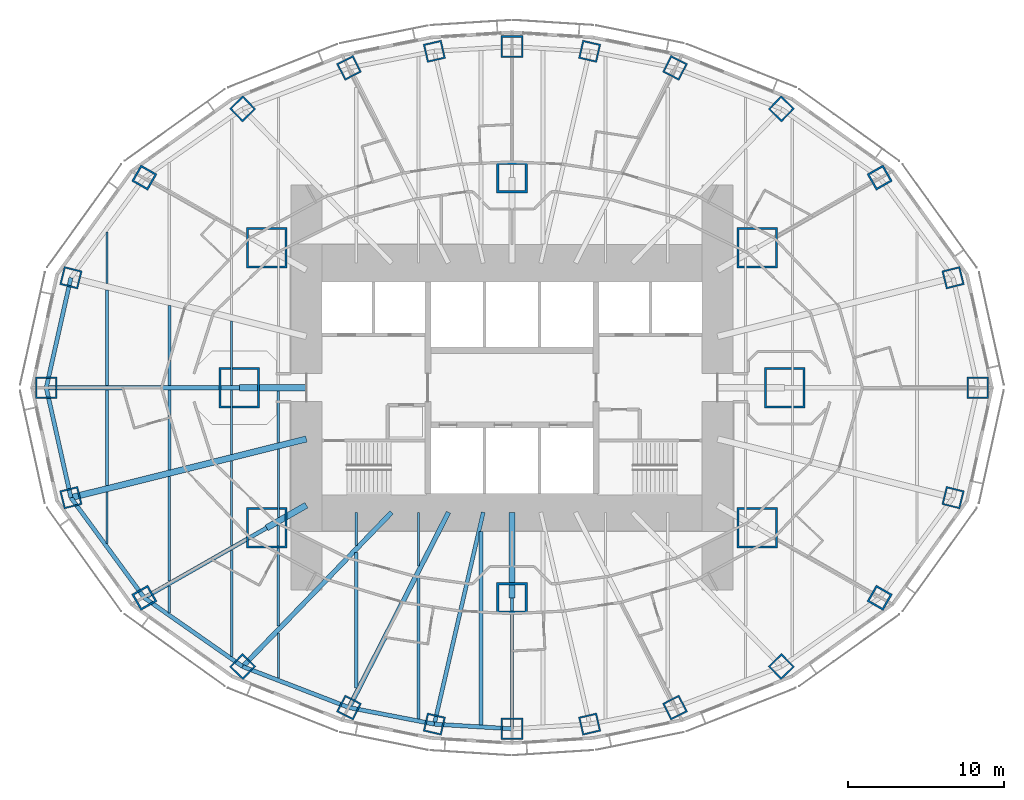
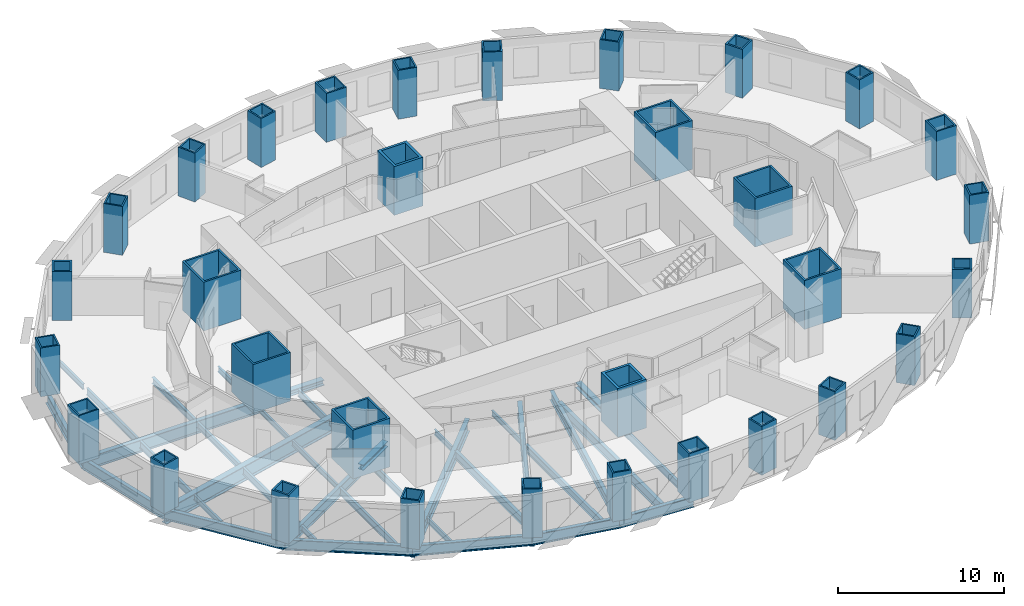
# One storey, part 1 of 15: 38 beams, 32 columns.
"""IFC4 building model written with IfcOpenShell, lengths in metres."""

from ifc_helpers import new_model, si_unit, direction, frame, origin, origin_2d, place, context, subcontext, project, spatial, rectangle, hollow_rectangle, i_section, extrude, material, material_profile, profile_set, type_object, element, save


model = new_model("IFC4")

# Units and contexts
model_context = context("Model", 3, precision=1e-05, world=origin(), true_north=direction((0.0, 1.0)))
body_context = subcontext(model_context, "Body", "Model", "MODEL_VIEW")
ifc_project = project(units=[si_unit("LENGTHUNIT", "METRE"), si_unit("AREAUNIT", "SQUARE_METRE"), si_unit("VOLUMEUNIT", "CUBIC_METRE"), si_unit("PLANEANGLEUNIT", "RADIAN"), si_unit("MASSUNIT", "GRAM", prefix="KILO")], contexts=[model_context])

# Site, building, storey
site_placement = place(None, origin())
site = spatial("IfcSite", under=ifc_project, at=site_placement, CompositionType="ELEMENT")
building_placement = place(site_placement, origin())
building = spatial("IfcBuilding", under=site, at=building_placement, Name="Lantaw Convention Tower", CompositionType="ELEMENT")
storey_placement = place(building_placement, frame((0.0, 0.0, 83.800048828125)))
storey = spatial("IfcBuildingStorey", under=building, at=storey_placement, Name="L19", CompositionType="ELEMENT", Elevation=83.800048828125)

# Columns
ifc_material_1 = material(Name="Steel EN 10025-3 S460N", Category="steel")
ifc_material_profile_1 = material_profile(ifc_material_1, hollow_rectangle(XDim=2.0, YDim=2.0, WallThickness=0.169921875, at=origin_2d()), Name="BOX2000X170")
ifc_material_2 = material(Name="Concrete C60/75", Category="concrete")
ifc_material_profile_2 = material_profile(ifc_material_2, rectangle(XDim=1.659912109375, YDim=1.659912109375, at=origin_2d()), Name="Concrete fill of BOX2000X170")
ifc_profile_set_1 = profile_set([ifc_material_profile_1, ifc_material_profile_2], Name="Steel EN 10025-3 S460N")
column_type_1 = type_object("IfcColumnType", Name="Column MC BOX2000X170", PredefinedType="COLUMN", material=ifc_profile_set_1)
for number, where, z_axis, x_axis, name in (
    (1, (0.0, 13.5, 0.0), (0.0, 0.0, 1.0), (1.0, 0.0, 0.0), "Mega column M3"),
    (2, (0.0, -13.5, 0.0), (0.0, 0.0, 1.0), (1.0, 0.0, 0.0), "Mega column M7"),
):
    element("IfcColumn", number, at=place(storey_placement, frame(where, z_axis=z_axis, x_axis=x_axis)), inside=storey, type_object=column_type_1, Name=name, PredefinedType="COLUMN", context=body_context, shape_type="SweptSolid", body=[
        extrude(hollow_rectangle(XDim=2.0, YDim=2.0, WallThickness=0.169921875, at=origin_2d()), origin(), (0.0, 0.0, 1.0), 3.599853515625),
    ])
ifc_material_profile_3 = material_profile(ifc_material_1, hollow_rectangle(XDim=2.60009765625, YDim=2.60009765625, WallThickness=0.1298828125, at=origin_2d()), Name="BOX2600X130")
ifc_material_profile_4 = material_profile(ifc_material_2, rectangle(XDim=2.340087890625, YDim=2.340087890625, at=origin_2d()), Name="Concrete fill of BOX2600X130")
ifc_profile_set_2 = profile_set([ifc_material_profile_3, ifc_material_profile_4], Name="Steel EN 10025-3 S460N")
column_type_2 = type_object("IfcColumnType", Name="Column MC BOX2600X130", PredefinedType="COLUMN", material=ifc_profile_set_2)
for number, where, z_axis, x_axis, name in (
    (3, (17.5, 0.0, 0.0), (0.0, 0.0, 1.0), (1.0, 0.0, 0.0), "Mega column M1"),
    (4, (15.75, 9.0, 0.0), (0.0, 0.0, 1.0), (1.0, 0.0, 0.0), "Mega column M2"),
    (5, (-15.75, 9.0, 0.0), (0.0, 0.0, 1.0), (1.0, 0.0, 0.0), "Mega column M4"),
    (6, (-17.5, 0.0, 0.0), (0.0, 0.0, 1.0), (1.0, 0.0, 0.0), "Mega column M5"),
    (7, (-15.75, -9.0, 0.0), (0.0, 0.0, 1.0), (1.0, 0.0, 0.0), "Mega column M6"),
    (8, (15.75, -9.0, 0.0), (0.0, 0.0, 1.0), (1.0, 0.0, 0.0), "Mega column M8"),
):
    element("IfcColumn", number, at=place(storey_placement, frame(where, z_axis=z_axis, x_axis=x_axis)), inside=storey, type_object=column_type_2, Name=name, PredefinedType="COLUMN", context=body_context, shape_type="SweptSolid", body=[
        extrude(hollow_rectangle(XDim=2.60009765625, YDim=2.60009765625, WallThickness=0.1298828125, at=origin_2d()), origin(), (0.0, 0.0, 1.0), 3.599853515625),
    ])
ifc_material_profile_5 = material_profile(ifc_material_1, hollow_rectangle(XDim=1.199951171875, YDim=1.199951171875, WallThickness=0.10009765625, at=origin_2d()), Name="BOX1200X100")
ifc_material_profile_6 = material_profile(ifc_material_2, rectangle(XDim=1.0, YDim=1.0, at=origin_2d()), Name="Concrete fill of BOX1200X100")
ifc_profile_set_3 = profile_set([ifc_material_profile_5, ifc_material_profile_6], Name="Steel EN 10025-3 S460N")
column_type_3 = type_object("IfcColumnType", Name="Column PC BOX1200X100", PredefinedType="COLUMN", material=ifc_profile_set_3)
for number, where, z_axis, x_axis, name in (
    (9, (28.31787109375, 7.060302734375, 0.0), (0.0, 0.0, 1.0), (0.970295726276, 0.2419218956, 0.0), "Perimeter column P2"),
    (10, (17.290771484375, 17.9052734375, 0.0), (0.0, 0.0, 1.0), (0.694658370459, 0.719339800339, 0.0), "Perimeter column P4"),
    (11, (10.462646484375, 20.533935546875, 0.0), (0.0, 0.0, 1.0), (0.45399049974, 0.891006524188, 0.0), "Perimeter column P5"),
    (12, (4.986328125, 21.59814453125, 0.0), (0.0, 0.0, 1.0), (0.224951054344, 0.974370064785, 0.0), "Perimeter column P6"),
    (13, (-4.986328125, 21.59814453125, 0.0), (0.0, 0.0, 1.0), (0.974370064785, 0.224951054344, 0.0), "Perimeter column P8"),
    (14, (-10.462646484375, 20.533935546875, 0.0), (0.0, 0.0, 1.0), (0.891006524188, 0.45399049974, 0.0), "Perimeter column P9"),
    (15, (-17.290771484375, 17.9052734375, 0.0), (0.0, 0.0, 1.0), (0.719339800339, 0.694658370459, 0.0), "Perimeter column P10"),
    (16, (-28.31787109375, 7.060302734375, 0.0), (0.0, 0.0, 1.0), (0.2419218956, 0.970295726276, 0.0), "Perimeter column P12"),
    (17, (-28.31787109375, -7.060302734375, 0.0), (0.0, 0.0, 1.0), (0.970295726276, 0.2419218956, 0.0), "Perimeter column P14"),
    (18, (-17.290771484375, -17.9052734375, 0.0), (0.0, 0.0, 1.0), (0.694658370459, 0.719339800339, 0.0), "Perimeter column P16"),
    (19, (-10.462646484375, -20.533935546875, 0.0), (0.0, 0.0, 1.0), (0.45399049974, 0.891006524188, 0.0), "Perimeter column P17"),
    (20, (-4.986328125, -21.59814453125, 0.0), (0.0, 0.0, 1.0), (0.224951054344, 0.974370064785, 0.0), "Perimeter column P18"),
    (21, (4.986328125, -21.59814453125, 0.0), (0.0, 0.0, 1.0), (0.974370064785, 0.224951054344, 0.0), "Perimeter column P20"),
    (22, (10.462646484375, -20.533935546875, 0.0), (0.0, 0.0, 1.0), (0.891006524188, 0.45399049974, 0.0), "Perimeter column P21"),
    (23, (17.290771484375, -17.9052734375, 0.0), (0.0, 0.0, 1.0), (0.719339800339, 0.694658370459, 0.0), "Perimeter column P22"),
    (24, (28.31787109375, -7.060302734375, 0.0), (0.0, 0.0, 1.0), (0.2419218956, 0.970295726276, 0.0), "Perimeter column P24"),
):
    element("IfcColumn", number, at=place(storey_placement, frame(where, z_axis=z_axis, x_axis=x_axis)), inside=storey, type_object=column_type_3, Name=name, PredefinedType="COLUMN", context=body_context, shape_type="SweptSolid", body=[
        extrude(hollow_rectangle(XDim=1.199951171875, YDim=1.199951171875, WallThickness=0.10009765625, at=origin_2d()), origin(), (0.0, 0.0, 1.0), 3.599853515625),
    ])
ifc_material_profile_7 = material_profile(ifc_material_1, hollow_rectangle(XDim=1.199951171875, YDim=1.199951171875, WallThickness=0.1201171875, at=origin_2d()), Name="BOX1200X120")
ifc_material_profile_8 = material_profile(ifc_material_2, rectangle(XDim=0.9599609375, YDim=0.9599609375, at=origin_2d()), Name="Concrete fill of BOX1200X120")
ifc_profile_set_4 = profile_set([ifc_material_profile_7, ifc_material_profile_8], Name="Steel EN 10025-3 S460N")
column_type_4 = type_object("IfcColumnType", Name="Column PC BOX1200X120", PredefinedType="COLUMN", material=ifc_profile_set_4)
for number, where, z_axis, x_axis, name in (
    (25, (23.60498046875, 13.488525390625, 0.0), (0.0, 0.0, 1.0), (0.86824298017, 0.496139221777, 0.0), "Perimeter column P3"),
    (26, (-23.60498046875, 13.488525390625, 0.0), (0.0, 0.0, 1.0), (0.496139221777, 0.86824298017, 0.0), "Perimeter column P11"),
    (27, (-23.60498046875, -13.488525390625, 0.0), (0.0, 0.0, 1.0), (0.86824298017, 0.496139221777, 0.0), "Perimeter column P15"),
    (28, (23.60498046875, -13.488525390625, 0.0), (0.0, 0.0, 1.0), (0.496139221777, 0.86824298017, 0.0), "Perimeter column P23"),
):
    element("IfcColumn", number, at=place(storey_placement, frame(where, z_axis=z_axis, x_axis=x_axis)), inside=storey, type_object=column_type_4, Name=name, PredefinedType="COLUMN", context=body_context, shape_type="SweptSolid", body=[
        extrude(hollow_rectangle(XDim=1.199951171875, YDim=1.199951171875, WallThickness=0.1201171875, at=origin_2d()), origin(), (0.0, 0.0, 1.0), 3.599853515625),
    ])
ifc_material_profile_9 = material_profile(ifc_material_1, hollow_rectangle(XDim=1.39990234375, YDim=1.39990234375, WallThickness=0.10009765625, at=origin_2d()), Name="BOX1400X100")
ifc_material_profile_10 = material_profile(ifc_material_2, rectangle(XDim=1.199951171875, YDim=1.199951171875, at=origin_2d()), Name="Concrete fill of BOX1400X100")
ifc_profile_set_5 = profile_set([ifc_material_profile_9, ifc_material_profile_10], Name="Steel EN 10025-3 S460N")
column_type_5 = type_object("IfcColumnType", Name="Column PC BOX1400X100", PredefinedType="COLUMN", material=ifc_profile_set_5)
for number, where, z_axis, x_axis, name in (
    (29, (29.89990234375, 0.0, 0.0), (0.0, 0.0, 1.0), (1.0, 0.0, 0.0), "Perimeter column P1"),
    (30, (0.0, 21.89990234375, 0.0), (0.0, 0.0, 1.0), (1.0, 0.0, 0.0), "Perimeter column P7"),
    (31, (-29.89990234375, 0.0, 0.0), (0.0, 0.0, 1.0), (1.0, 0.0, 0.0), "Perimeter column P13"),
    (32, (0.0, -21.89990234375, 0.0), (0.0, 0.0, 1.0), (1.0, 0.0, 0.0), "Perimeter column P19"),
):
    element("IfcColumn", number, at=place(storey_placement, frame(where, z_axis=z_axis, x_axis=x_axis)), inside=storey, type_object=column_type_5, Name=name, PredefinedType="COLUMN", context=body_context, shape_type="SweptSolid", body=[
        extrude(hollow_rectangle(XDim=1.39990234375, YDim=1.39990234375, WallThickness=0.10009765625, at=origin_2d()), origin(), (0.0, 0.0, 1.0), 3.599853515625),
    ])

# Beams
ifc_material_3 = material(Name="Steel ASTM A992", Category="steel")
ifc_material_profile_11 = material_profile(ifc_material_3, i_section(OverallWidth=0.2666015625, OverallDepth=0.76953125, WebThickness=0.015625, FlangeThickness=0.025390625, FilletRadius=0.0126953125, at=origin_2d()), Name="W30X132")
ifc_profile_set_6 = profile_set([ifc_material_profile_11], Name="Steel ASTM A992")
beam_type_1 = type_object("IfcBeamType", Name="Beam E W30X132", PredefinedType="SPANDREL", material=ifc_profile_set_6)
for number, where, z_axis, x_axis, name in (
    (33, (-28.31787109375, 7.060302734375, -0.534912109375), (-0.218652184873, -0.975802860239, 0.0), (0.975802860239, -0.218652184873, 0.0), "Edge beam 12"),
    (34, (-29.89990234375, 0.0, -0.534912109375), (0.218652184873, -0.975802860239, 0.0), (0.975802860239, 0.218652184873, 0.0), "Edge beam 13"),
):
    element("IfcBeam", number, at=place(storey_placement, frame(where, z_axis=z_axis, x_axis=x_axis)), inside=storey, type_object=beam_type_1, Name=name, PredefinedType="SPANDREL", context=body_context, shape_type="SweptSolid", body=[
        extrude(i_section(OverallWidth=0.2666015625, OverallDepth=0.76953125, WebThickness=0.015625, FlangeThickness=0.025390625, FilletRadius=0.0126953125, at=origin_2d()), origin(), (0.0, 0.0, 1.0), 7.2353515625),
    ])
beam_1_placement = place(storey_placement, frame((-28.31787109375, -7.060302734375, -0.534912109375), z_axis=(0.591270709086, -0.806473154281, 0.0), x_axis=(0.806473154281, 0.591270709086, 0.0)))
element("IfcBeam", 35, at=beam_1_placement, inside=storey, type_object=beam_type_1, Name="Edge beam 14", PredefinedType="SPANDREL", context=body_context, shape_type="SweptSolid", body=[
    extrude(i_section(OverallWidth=0.2666015625, OverallDepth=0.76953125, WebThickness=0.015625, FlangeThickness=0.025390625, FilletRadius=0.0126953125, at=origin_2d()), origin(), (0.0, 0.0, 1.0), 7.970703125),
])
beam_2_placement = place(storey_placement, frame((-23.60498046875, -13.488525390625, -0.534912109375), z_axis=(0.81942686407, -0.57318375277, 0.0), x_axis=(0.57318375277, 0.81942686407, 0.0)))
element("IfcBeam", 36, at=beam_2_placement, inside=storey, type_object=beam_type_1, Name="Edge beam 15", PredefinedType="SPANDREL", context=body_context, shape_type="SweptSolid", body=[
    extrude(i_section(OverallWidth=0.2666015625, OverallDepth=0.76953125, WebThickness=0.015625, FlangeThickness=0.025390625, FilletRadius=0.0126953125, at=origin_2d()), origin(), (0.0, 0.0, 1.0), 7.70556640625),
])
beam_3_placement = place(storey_placement, frame((-17.290771484375, -17.9052734375, -0.534912109375), z_axis=(0.933232900641, -0.359271976588, 0.0), x_axis=(0.359271976588, 0.933232900641, 0.0)))
element("IfcBeam", 37, at=beam_3_placement, inside=storey, type_object=beam_type_1, Name="Edge beam 16", PredefinedType="SPANDREL", context=body_context, shape_type="SweptSolid", body=[
    extrude(i_section(OverallWidth=0.2666015625, OverallDepth=0.76953125, WebThickness=0.015625, FlangeThickness=0.025390625, FilletRadius=0.0126953125, at=origin_2d()), origin(), (0.0, 0.0, 1.0), 7.316650390625),
])
beam_4_placement = place(storey_placement, frame((-10.462646484375, -20.533935546875, -0.534912109375), z_axis=(0.981636565323, -0.190760723474, 0.0), x_axis=(0.190760723474, 0.981636565323, 0.0)))
element("IfcBeam", 38, at=beam_4_placement, inside=storey, type_object=beam_type_1, Name="Edge beam 17", PredefinedType="SPANDREL", context=body_context, shape_type="SweptSolid", body=[
    extrude(i_section(OverallWidth=0.2666015625, OverallDepth=0.76953125, WebThickness=0.015625, FlangeThickness=0.025390625, FilletRadius=0.0126953125, at=origin_2d()), origin(), (0.0, 0.0, 1.0), 5.578857421875),
])
beam_5_placement = place(storey_placement, frame((-4.986328125, -21.59814453125, -0.534912109375), z_axis=(0.998173858406, -0.060406526096, 0.0), x_axis=(0.060406526096, 0.998173858406, 0.0)))
element("IfcBeam", 39, at=beam_5_placement, inside=storey, type_object=beam_type_1, Name="Edge beam 18", PredefinedType="SPANDREL", context=body_context, shape_type="SweptSolid", body=[
    extrude(i_section(OverallWidth=0.2666015625, OverallDepth=0.76953125, WebThickness=0.015625, FlangeThickness=0.025390625, FilletRadius=0.0126953125, at=origin_2d()), origin(), (0.0, 0.0, 1.0), 4.995361328125),
])
ifc_material_profile_12 = material_profile(ifc_material_3, i_section(OverallWidth=0.1650390625, OverallDepth=0.52587890625, WebThickness=0.0087890625, FlangeThickness=0.011474609375, FilletRadius=0.0126953125, at=origin_2d()), Name="W21X44")
ifc_profile_set_7 = profile_set([ifc_material_profile_12], Name="Steel ASTM A992")
beam_type_2 = type_object("IfcBeamType", Name="Beam G W21X44", PredefinedType="BEAM", material=ifc_profile_set_7)
beam_6_placement = place(storey_placement, frame((0.0, -13.5, -0.412841796875), z_axis=(0.0, -1.0, 0.0), x_axis=(1.0, 0.0, 0.0)))
element("IfcBeam", 40, at=beam_6_placement, inside=storey, type_object=beam_type_2, Name="Floor girder on ray 19", PredefinedType="BEAM", context=body_context, shape_type="SweptSolid", body=[
    extrude(i_section(OverallWidth=0.1650390625, OverallDepth=0.52587890625, WebThickness=0.0087890625, FlangeThickness=0.011474609375, FilletRadius=0.0126953125, at=origin_2d()), origin(), (0.0, 0.0, 1.0), 8.39990234375),
])
ifc_material_profile_13 = material_profile(ifc_material_3, i_section(OverallWidth=0.25390625, OverallDepth=0.683349609375, WebThickness=0.012451171875, FlangeThickness=0.01904296875, FilletRadius=0.01513671875, at=origin_2d()), Name="W27X94")
ifc_profile_set_8 = profile_set([ifc_material_profile_13], Name="Steel ASTM A992")
beam_type_3 = type_object("IfcBeamType", Name="Beam G W27X94", PredefinedType="BEAM", material=ifc_profile_set_8)
beam_7_placement = place(storey_placement, frame((-1.846923828125, -8.0, -0.49169921875), z_axis=(-0.224952773175, -0.97436966796, 0.0), x_axis=(0.97436966796, -0.224952773175, 0.0)))
element("IfcBeam", 41, at=beam_7_placement, inside=storey, type_object=beam_type_3, Name="Floor girder on ray 18", PredefinedType="BEAM", context=body_context, shape_type="SweptSolid", body=[
    extrude(i_section(OverallWidth=0.25390625, OverallDepth=0.683349609375, WebThickness=0.012451171875, FlangeThickness=0.01904296875, FilletRadius=0.01513671875, at=origin_2d()), origin(), (0.0, 0.0, 1.0), 13.955810546875),
])
ifc_material_profile_14 = material_profile(ifc_material_3, i_section(OverallWidth=0.2666015625, OverallDepth=0.7568359375, WebThickness=0.013916015625, FlangeThickness=0.019287109375, FilletRadius=0.0126953125, at=origin_2d()), Name="W30X108")
ifc_profile_set_9 = profile_set([ifc_material_profile_14], Name="Steel ASTM A992")
beam_type_4 = type_object("IfcBeamType", Name="Beam G W30X108", PredefinedType="BEAM", material=ifc_profile_set_9)
beam_8_placement = place(storey_placement, frame((-15.75, -9.0, -0.528564453125), z_axis=(-0.868244802791, -0.496136032179, 0.0), x_axis=(0.496136032179, -0.868244802791, 0.0)))
element("IfcBeam", 42, at=beam_8_placement, inside=storey, type_object=beam_type_4, Name="Floor girder on ray 15", PredefinedType="BEAM", context=body_context, shape_type="SweptSolid", body=[
    extrude(i_section(OverallWidth=0.2666015625, OverallDepth=0.7568359375, WebThickness=0.013916015625, FlangeThickness=0.019287109375, FilletRadius=0.0126953125, at=origin_2d()), origin(), (0.0, 0.0, 1.0), 9.046875),
])
ifc_material_profile_15 = material_profile(ifc_material_3, i_section(OverallWidth=0.307373046875, OverallDepth=0.922119140625, WebThickness=0.018310546875, FlangeThickness=0.030029296875, FilletRadius=0.0126953125, at=origin_2d()), Name="W36X182")
ifc_profile_set_10 = profile_set([ifc_material_profile_15], Name="Steel ASTM A992")
beam_type_5 = type_object("IfcBeamType", Name="Beam G W36X182", PredefinedType="BEAM", material=ifc_profile_set_10)
beam_9_placement = place(storey_placement, frame((-17.5, 0.0, -0.611083984375), z_axis=(-1.0, 0.0, 0.0), x_axis=(0.0, -1.0, 0.0)))
element("IfcBeam", 43, at=beam_9_placement, inside=storey, type_object=beam_type_5, Name="Floor girder on ray 13", PredefinedType="BEAM", context=body_context, shape_type="SweptSolid", body=[
    extrude(i_section(OverallWidth=0.307373046875, OverallDepth=0.922119140625, WebThickness=0.018310546875, FlangeThickness=0.030029296875, FilletRadius=0.0126953125, at=origin_2d()), origin(), (0.0, 0.0, 1.0), 12.39990234375),
])
beam_10_placement = place(storey_placement, frame((-7.7255859375, -8.0, -0.611083984375), z_axis=(-0.694649884291, -0.719347995239, 0.0), x_axis=(0.719347995239, -0.694649884291, 0.0)))
element("IfcBeam", 44, at=beam_10_placement, inside=storey, type_object=beam_type_5, Name="Floor girder on ray 16", PredefinedType="BEAM", context=body_context, shape_type="SweptSolid", body=[
    extrude(i_section(OverallWidth=0.307373046875, OverallDepth=0.922119140625, WebThickness=0.018310546875, FlangeThickness=0.030029296875, FilletRadius=0.0126953125, at=origin_2d()), origin(), (0.0, 0.0, 1.0), 13.769775390625),
])
beam_11_placement = place(storey_placement, frame((-4.076171875, -8.0, -0.611083984375), z_axis=(-0.453997016122, -0.891003203896, 0.0), x_axis=(0.891003203896, -0.453997016122, 0.0)))
element("IfcBeam", 45, at=beam_11_placement, inside=storey, type_object=beam_type_5, Name="Floor girder on ray 17", PredefinedType="BEAM", context=body_context, shape_type="SweptSolid", body=[
    extrude(i_section(OverallWidth=0.307373046875, OverallDepth=0.922119140625, WebThickness=0.018310546875, FlangeThickness=0.030029296875, FilletRadius=0.0126953125, at=origin_2d()), origin(), (0.0, 0.0, 1.0), 14.067138671875),
])
ifc_material_profile_16 = material_profile(ifc_material_3, i_section(OverallWidth=0.40380859375, OverallDepth=1.11767578125, WebThickness=0.026123046875, FlangeThickness=0.044921875, FilletRadius=0.02001953125, at=origin_2d()), Name="W44X335")
ifc_profile_set_11 = profile_set([ifc_material_profile_16], Name="Steel ASTM A992")
beam_type_6 = type_object("IfcBeamType", Name="Beam G W44X335", PredefinedType="BEAM", material=ifc_profile_set_11)
beam_12_placement = place(storey_placement, frame((-13.199951171875, -3.291015625, -0.708740234375), z_axis=(-0.970296233567, -0.241919860957, 0.0), x_axis=(0.241919860957, -0.970296233567, 0.0)))
element("IfcBeam", 46, at=beam_12_placement, inside=storey, type_object=beam_type_6, Name="Floor girder on ray 14", PredefinedType="BEAM", context=body_context, shape_type="SweptSolid", body=[
    extrude(i_section(OverallWidth=0.40380859375, OverallDepth=1.11767578125, WebThickness=0.026123046875, FlangeThickness=0.044921875, FilletRadius=0.02001953125, at=origin_2d()), origin(), (0.0, 0.0, 1.0), 15.580810546875),
])
ifc_material_profile_17 = material_profile(ifc_material_3, i_section(OverallWidth=0.40380859375, OverallDepth=0.406494140625, WebThickness=0.027099609375, FlangeThickness=0.043701171875, FilletRadius=0.01513671875, at=origin_2d()), Name="W14X233")
ifc_profile_set_12 = profile_set([ifc_material_profile_17], Name="Steel ASTM A992")
beam_type_7 = type_object("IfcBeamType", Name="Beam GM W14X233", PredefinedType="BEAM", material=ifc_profile_set_12)
beam_13_placement = place(storey_placement, frame((-13.199951171875, 0.0, -0.353271484375), z_axis=(-1.0, 0.0, 0.0), x_axis=(0.0, -1.0, 0.0)))
element("IfcBeam", 47, at=beam_13_placement, inside=storey, type_object=beam_type_7, Name="Core link beam on ray 13", PredefinedType="BEAM", context=body_context, shape_type="SweptSolid", body=[
    extrude(i_section(OverallWidth=0.40380859375, OverallDepth=0.406494140625, WebThickness=0.027099609375, FlangeThickness=0.043701171875, FilletRadius=0.01513671875, at=origin_2d()), origin(), (0.0, 0.0, 1.0), 4.300048828125),
])
beam_14_placement = place(storey_placement, frame((-13.199951171875, -7.54296875, -0.353271484375), z_axis=(-0.868263603466, -0.496103129295, 0.0), x_axis=(0.496103129295, -0.868263603466, 0.0)))
element("IfcBeam", 48, at=beam_14_placement, inside=storey, type_object=beam_type_7, Name="Core link beam on ray 15", PredefinedType="BEAM", context=body_context, shape_type="SweptSolid", body=[
    extrude(i_section(OverallWidth=0.40380859375, OverallDepth=0.406494140625, WebThickness=0.027099609375, FlangeThickness=0.043701171875, FilletRadius=0.01513671875, at=origin_2d()), origin(), (0.0, 0.0, 1.0), 2.93701171875),
])
beam_15_placement = place(storey_placement, frame((0.0, -8.0, -0.353271484375), z_axis=(0.0, -1.0, 0.0), x_axis=(1.0, 0.0, 0.0)))
element("IfcBeam", 49, at=beam_15_placement, inside=storey, type_object=beam_type_7, Name="Core link beam on ray 19", PredefinedType="BEAM", context=body_context, shape_type="SweptSolid", body=[
    extrude(i_section(OverallWidth=0.40380859375, OverallDepth=0.406494140625, WebThickness=0.027099609375, FlangeThickness=0.043701171875, FilletRadius=0.01513671875, at=origin_2d()), origin(), (0.0, 0.0, 1.0), 5.5),
])
ifc_material_profile_18 = material_profile(ifc_material_3, i_section(OverallWidth=0.140380859375, OverallDepth=0.40380859375, WebThickness=0.007080078125, FlangeThickness=0.01123046875, FilletRadius=0.01025390625, at=origin_2d()), Name="W16X31")
ifc_profile_set_13 = profile_set([ifc_material_profile_18], Name="Steel ASTM A992")
beam_type_8 = type_object("IfcBeamType", Name="Beam J W16X31", PredefinedType="JOIST", material=ifc_profile_set_13)
for number, where, z_axis, x_axis, name in (
    (50, (-26.0, -9.996337890625, -0.35205078125), (0.0, 1.0, 0.0), (-1.0, 0.0, 0.0), "Floor joist"),
    (51, (-26.0, 6.690673828125, -0.35205078125), (0.0, 1.0, 0.0), (-1.0, 0.0, 0.0), "Floor joist"),
):
    element("IfcBeam", number, at=place(storey_placement, frame(where, z_axis=z_axis, x_axis=x_axis)), inside=storey, type_object=beam_type_8, Name=name, PredefinedType="JOIST", context=body_context, shape_type="SweptSolid", body=[
        extrude(i_section(OverallWidth=0.140380859375, OverallDepth=0.40380859375, WebThickness=0.007080078125, FlangeThickness=0.01123046875, FilletRadius=0.01025390625, at=origin_2d()), origin(), (0.0, 0.0, 1.0), 3.3056640625),
    ])
beam_16_placement = place(storey_placement, frame((-22.0, -14.448486328125, -0.35205078125), z_axis=(0.0, 1.0, 0.0), x_axis=(-1.0, 0.0, 0.0)))
element("IfcBeam", 52, at=beam_16_placement, inside=storey, type_object=beam_type_8, Name="Floor joist", PredefinedType="JOIST", context=body_context, shape_type="SweptSolid", body=[
    extrude(i_section(OverallWidth=0.140380859375, OverallDepth=0.40380859375, WebThickness=0.007080078125, FlangeThickness=0.01123046875, FilletRadius=0.01025390625, at=origin_2d()), origin(), (0.0, 0.0, 1.0), 1.723388671875),
])
beam_17_placement = place(storey_placement, frame((-18.0, -10.132080078125, -0.35205078125), z_axis=(0.0, 1.0, 0.0), x_axis=(-1.0, 0.0, 0.0)))
element("IfcBeam", 53, at=beam_17_placement, inside=storey, type_object=beam_type_8, Name="Floor joist", PredefinedType="JOIST", context=body_context, shape_type="SweptSolid", body=[
    extrude(i_section(OverallWidth=0.140380859375, OverallDepth=0.40380859375, WebThickness=0.007080078125, FlangeThickness=0.01123046875, FilletRadius=0.01025390625, at=origin_2d()), origin(), (0.0, 0.0, 1.0), 5.43603515625),
])
for number, where, z_axis, x_axis, name in (
    (54, (-18.0, -4.27978515625, -0.35205078125), (0.0, 1.0, 0.0), (-1.0, 0.0, 0.0), "Floor joist"),
    (55, (-18.0, 0.153564453125, -0.35205078125), (0.0, 1.0, 0.0), (-1.0, 0.0, 0.0), "Floor joist"),
):
    element("IfcBeam", number, at=place(storey_placement, frame(where, z_axis=z_axis, x_axis=x_axis)), inside=storey, type_object=beam_type_8, Name=name, PredefinedType="JOIST", context=body_context, shape_type="SweptSolid", body=[
        extrude(i_section(OverallWidth=0.140380859375, OverallDepth=0.40380859375, WebThickness=0.007080078125, FlangeThickness=0.01123046875, FilletRadius=0.01025390625, at=origin_2d()), origin(), (0.0, 0.0, 1.0), 4.126220703125),
    ])
beam_18_placement = place(storey_placement, frame((-15.0, -18.644287109375, -0.35205078125), z_axis=(0.0, 1.0, 0.0), x_axis=(-1.0, 0.0, 0.0)))
element("IfcBeam", 56, at=beam_18_placement, inside=storey, type_object=beam_type_8, Name="Floor joist", PredefinedType="JOIST", context=body_context, shape_type="SweptSolid", body=[
    extrude(i_section(OverallWidth=0.140380859375, OverallDepth=0.40380859375, WebThickness=0.007080078125, FlangeThickness=0.01123046875, FilletRadius=0.01025390625, at=origin_2d()), origin(), (0.0, 0.0, 1.0), 2.89013671875),
])
beam_19_placement = place(storey_placement, frame((-15.0, -8.3388671875, -0.35205078125), z_axis=(0.0, 1.0, 0.0), x_axis=(-1.0, 0.0, 0.0)))
element("IfcBeam", 57, at=beam_19_placement, inside=storey, type_object=beam_type_8, Name="Floor joist", PredefinedType="JOIST", context=body_context, shape_type="SweptSolid", body=[
    extrude(i_section(OverallWidth=0.140380859375, OverallDepth=0.40380859375, WebThickness=0.007080078125, FlangeThickness=0.01123046875, FilletRadius=0.01025390625, at=origin_2d()), origin(), (0.0, 0.0, 1.0), 4.390869140625),
])
beam_20_placement = place(storey_placement, frame((-10.0, -10.134033203125, -0.35205078125), z_axis=(0.0, 1.0, 0.0), x_axis=(-1.0, 0.0, 0.0)))
element("IfcBeam", 58, at=beam_20_placement, inside=storey, type_object=beam_type_8, Name="Floor joist", PredefinedType="JOIST", context=body_context, shape_type="SweptSolid", body=[
    extrude(i_section(OverallWidth=0.140380859375, OverallDepth=0.40380859375, WebThickness=0.007080078125, FlangeThickness=0.01123046875, FilletRadius=0.01025390625, at=origin_2d()), origin(), (0.0, 0.0, 1.0), 2.134033203125),
])
beam_21_placement = place(storey_placement, frame((-6.0, -11.437255859375, -0.35205078125), z_axis=(0.0, 1.0, 0.0), x_axis=(-1.0, 0.0, 0.0)))
element("IfcBeam", 59, at=beam_21_placement, inside=storey, type_object=beam_type_8, Name="Floor joist", PredefinedType="JOIST", context=body_context, shape_type="SweptSolid", body=[
    extrude(i_section(OverallWidth=0.140380859375, OverallDepth=0.40380859375, WebThickness=0.007080078125, FlangeThickness=0.01123046875, FilletRadius=0.01025390625, at=origin_2d()), origin(), (0.0, 0.0, 1.0), 3.437255859375),
])
ifc_material_profile_19 = material_profile(ifc_material_3, i_section(OverallWidth=0.1904296875, OverallDepth=0.457275390625, WebThickness=0.009033203125, FlangeThickness=0.014404296875, FilletRadius=0.01025390625, at=origin_2d()), Name="W18X50")
ifc_profile_set_14 = profile_set([ifc_material_profile_19], Name="Steel ASTM A992")
beam_type_9 = type_object("IfcBeamType", Name="Beam J W18X50", PredefinedType="JOIST", material=ifc_profile_set_14)
for number, where, z_axis, x_axis, name in (
    (60, (-22.0, -5.277099609375, -0.378662109375), (0.0, 1.0, 0.0), (-1.0, 0.0, 0.0), "Floor joist"),
    (61, (-22.0, 0.153564453125, -0.378662109375), (0.0, 1.0, 0.0), (-1.0, 0.0, 0.0), "Floor joist"),
):
    element("IfcBeam", number, at=place(storey_placement, frame(where, z_axis=z_axis, x_axis=x_axis)), inside=storey, type_object=beam_type_9, Name=name, PredefinedType="JOIST", context=body_context, shape_type="SweptSolid", body=[
        extrude(i_section(OverallWidth=0.1904296875, OverallDepth=0.457275390625, WebThickness=0.009033203125, FlangeThickness=0.014404296875, FilletRadius=0.01025390625, at=origin_2d()), origin(), (0.0, 0.0, 1.0), 5.12353515625),
    ])
ifc_material_profile_20 = material_profile(ifc_material_3, i_section(OverallWidth=0.1650390625, OverallDepth=0.52587890625, WebThickness=0.0087890625, FlangeThickness=0.011474609375, FilletRadius=0.0126953125, at=origin_2d()), Name="W21X44")
ifc_profile_set_15 = profile_set([ifc_material_profile_20], Name="Steel ASTM A992")
beam_type_10 = type_object("IfcBeamType", Name="Beam J W21X44", PredefinedType="JOIST", material=ifc_profile_set_15)
beam_22_placement = place(storey_placement, frame((-22.0, -12.41796875, -0.412841796875), z_axis=(0.0, 1.0, 0.0), x_axis=(-1.0, 0.0, 0.0)))
element("IfcBeam", 62, at=beam_22_placement, inside=storey, type_object=beam_type_10, Name="Floor joist", PredefinedType="JOIST", context=body_context, shape_type="SweptSolid", body=[
    extrude(i_section(OverallWidth=0.1650390625, OverallDepth=0.52587890625, WebThickness=0.0087890625, FlangeThickness=0.011474609375, FilletRadius=0.0126953125, at=origin_2d()), origin(), (0.0, 0.0, 1.0), 6.724609375),
])
beam_23_placement = place(storey_placement, frame((-18.0, -17.246337890625, -0.412841796875), z_axis=(0.0, 1.0, 0.0), x_axis=(-1.0, 0.0, 0.0)))
element("IfcBeam", 63, at=beam_23_placement, inside=storey, type_object=beam_type_10, Name="Floor joist", PredefinedType="JOIST", context=body_context, shape_type="SweptSolid", body=[
    extrude(i_section(OverallWidth=0.1650390625, OverallDepth=0.52587890625, WebThickness=0.0087890625, FlangeThickness=0.011474609375, FilletRadius=0.0126953125, at=origin_2d()), origin(), (0.0, 0.0, 1.0), 6.80712890625),
])
beam_24_placement = place(storey_placement, frame((-15.0, -15.311767578125, -0.412841796875), z_axis=(0.0, 1.0, 0.0), x_axis=(-1.0, 0.0, 0.0)))
element("IfcBeam", 64, at=beam_24_placement, inside=storey, type_object=beam_type_10, Name="Floor joist", PredefinedType="JOIST", context=body_context, shape_type="SweptSolid", body=[
    extrude(i_section(OverallWidth=0.1650390625, OverallDepth=0.52587890625, WebThickness=0.0087890625, FlangeThickness=0.011474609375, FilletRadius=0.0126953125, at=origin_2d()), origin(), (0.0, 0.0, 1.0), 6.5078125),
])
ifc_material_profile_21 = material_profile(ifc_material_3, i_section(OverallWidth=0.165771484375, OverallDepth=0.5283203125, WebThickness=0.009765625, FlangeThickness=0.013671875, FilletRadius=0.012939453125, at=origin_2d()), Name="W21X50")
ifc_profile_set_16 = profile_set([ifc_material_profile_21], Name="Steel ASTM A992")
beam_type_11 = type_object("IfcBeamType", Name="Beam J W21X50", PredefinedType="JOIST", material=ifc_profile_set_16)
for number, where, z_axis, x_axis, name in (
    (65, (-26.0, -6.2744140625, -0.414306640625), (0.0, 1.0, 0.0), (-1.0, 0.0, 0.0), "Floor joist"),
    (66, (-26.0, 0.153564453125, -0.414306640625), (0.0, 1.0, 0.0), (-1.0, 0.0, 0.0), "Floor joist"),
):
    element("IfcBeam", number, at=place(storey_placement, frame(where, z_axis=z_axis, x_axis=x_axis)), inside=storey, type_object=beam_type_11, Name=name, PredefinedType="JOIST", context=body_context, shape_type="SweptSolid", body=[
        extrude(i_section(OverallWidth=0.165771484375, OverallDepth=0.5283203125, WebThickness=0.009765625, FlangeThickness=0.013671875, FilletRadius=0.012939453125, at=origin_2d()), origin(), (0.0, 0.0, 1.0), 6.120849609375),
    ])
beam_25_placement = place(storey_placement, frame((-15.0, -3.53173828125, -0.414306640625), z_axis=(0.0, 1.0, 0.0), x_axis=(-1.0, 0.0, 0.0)))
element("IfcBeam", 67, at=beam_25_placement, inside=storey, type_object=beam_type_11, Name="Floor joist", PredefinedType="JOIST", context=body_context, shape_type="SweptSolid", body=[
    extrude(i_section(OverallWidth=0.165771484375, OverallDepth=0.5283203125, WebThickness=0.009765625, FlangeThickness=0.013671875, FilletRadius=0.012939453125, at=origin_2d()), origin(), (0.0, 0.0, 1.0), 3.329833984375),
])
ifc_material_profile_22 = material_profile(ifc_material_3, i_section(OverallWidth=0.2099609375, OverallDepth=0.535888671875, WebThickness=0.010986328125, FlangeThickness=0.017333984375, FilletRadius=0.012939453125, at=origin_2d()), Name="W21X68")
ifc_profile_set_17 = profile_set([ifc_material_profile_22], Name="Steel ASTM A992")
beam_type_12 = type_object("IfcBeamType", Name="Beam J W21X68", PredefinedType="JOIST", material=ifc_profile_set_17)
beam_26_placement = place(storey_placement, frame((-6.0, -21.26513671875, -0.41796875), z_axis=(0.0, 1.0, 0.0), x_axis=(-1.0, 0.0, 0.0)))
element("IfcBeam", 68, at=beam_26_placement, inside=storey, type_object=beam_type_12, Name="Floor joist", PredefinedType="JOIST", context=body_context, shape_type="SweptSolid", body=[
    extrude(i_section(OverallWidth=0.2099609375, OverallDepth=0.535888671875, WebThickness=0.010986328125, FlangeThickness=0.017333984375, FilletRadius=0.012939453125, at=origin_2d()), origin(), (0.0, 0.0, 1.0), 9.15087890625),
])
ifc_material_profile_23 = material_profile(ifc_material_3, i_section(OverallWidth=0.227783203125, OverallDepth=0.60205078125, WebThickness=0.010498046875, FlangeThickness=0.014892578125, FilletRadius=0.012939453125, at=origin_2d()), Name="W24X68")
ifc_profile_set_18 = profile_set([ifc_material_profile_23], Name="Steel ASTM A992")
beam_type_13 = type_object("IfcBeamType", Name="Beam J W24X68", PredefinedType="JOIST", material=ifc_profile_set_18)
beam_27_placement = place(storey_placement, frame((-10.0, -19.28759765625, -0.450927734375), z_axis=(0.0, 1.0, 0.0), x_axis=(-1.0, 0.0, 0.0)))
element("IfcBeam", 69, at=beam_27_placement, inside=storey, type_object=beam_type_13, Name="Floor joist", PredefinedType="JOIST", context=body_context, shape_type="SweptSolid", body=[
    extrude(i_section(OverallWidth=0.227783203125, OverallDepth=0.60205078125, WebThickness=0.010498046875, FlangeThickness=0.014892578125, FilletRadius=0.012939453125, at=origin_2d()), origin(), (0.0, 0.0, 1.0), 8.711181640625),
])
ifc_material_profile_24 = material_profile(ifc_material_3, i_section(OverallWidth=0.25390625, OverallDepth=0.700927734375, WebThickness=0.015380859375, FlangeThickness=0.02783203125, FilletRadius=0.01513671875, at=origin_2d()), Name="W27X129")
ifc_profile_set_19 = profile_set([ifc_material_profile_24], Name="Steel ASTM A992")
beam_type_14 = type_object("IfcBeamType", Name="Beam J W27X129", PredefinedType="JOIST", material=ifc_profile_set_19)
beam_28_placement = place(storey_placement, frame((-2.0, -21.645263671875, -0.50048828125), z_axis=(0.0, 1.0, 0.0), x_axis=(-1.0, 0.0, 0.0)))
element("IfcBeam", 70, at=beam_28_placement, inside=storey, type_object=beam_type_14, Name="Floor joist", PredefinedType="JOIST", context=body_context, shape_type="SweptSolid", body=[
    extrude(i_section(OverallWidth=0.25390625, OverallDepth=0.700927734375, WebThickness=0.015380859375, FlangeThickness=0.02783203125, FilletRadius=0.01513671875, at=origin_2d()), origin(), (0.0, 0.0, 1.0), 12.417724609375),
])

save(model, "model.ifc")
